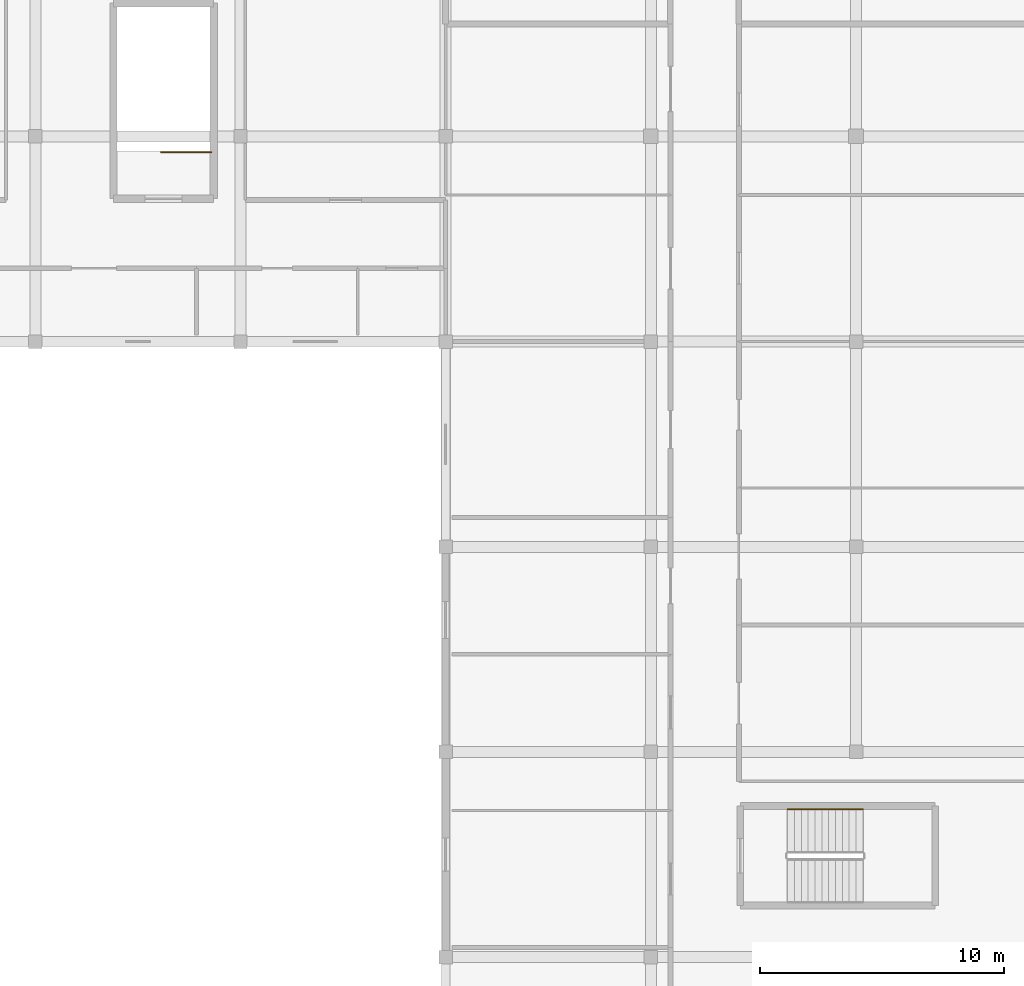
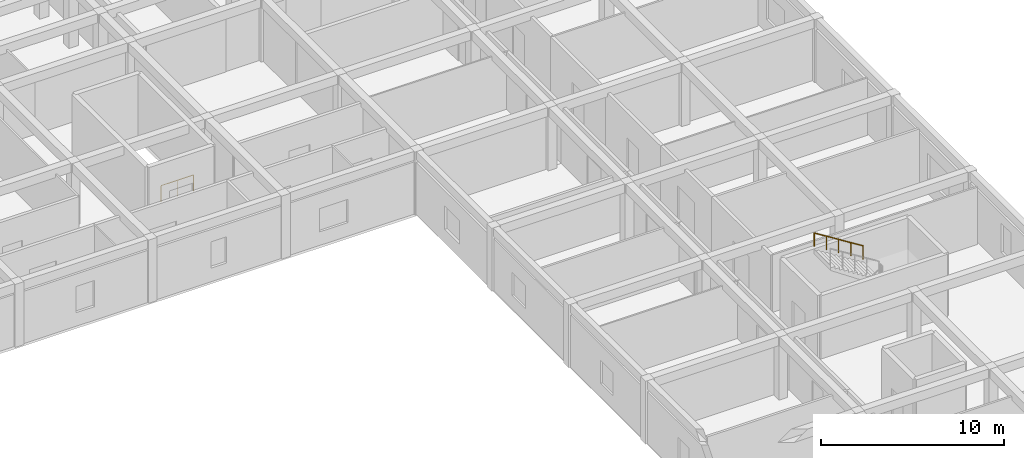
# One storey, part 41 of 42: 2 railings.
"""IFC4 building model written with IfcOpenShell, lengths in metres."""

import ifcopenshell
import ifcopenshell.guid

model = None  # the IFC model being written
_history = None  # IfcOwnerHistory: only IFC2X3 demands one
_inside = {}  # id of a spatial element -> (the spatial element, [elements in it])
_under = {}  # id of a project, library or spatial element -> (it, [spatial elements below it])
_declared = {}  # id of a project -> (the project, [libraries it declares])
_typed = {}  # id of a type object -> (the type object, [elements of that type])
_made_of = {}  # id of a material, layer set ... -> (it, [elements and type objects made of it])


def new_model(schema):
    """Start an empty IFC model of exactly this schema.

    Asked for "IFC4X3", IfcOpenShell would pick the latest addendum, in which some entities
    have other attributes; the version numbers below select the first issue.
    IFC2X3 requires an IfcOwnerHistory on every rooted entity: one is made here for all.
    """
    global model, _history
    if schema == "IFC4X3":
        model = ifcopenshell.file(schema_version=(4, 3, 0, 0))
    else:
        model = ifcopenshell.file(schema=schema)
    _inside.clear()
    _under.clear()
    _declared.clear()
    _typed.clear()
    _made_of.clear()
    _history = None
    if model.schema == "IFC2X3":
        org = make("IfcOrganization", Name="unknown")
        user = make(
            "IfcPersonAndOrganization",
            ThePerson=make("IfcPerson", FamilyName="unknown"),
            TheOrganization=org,
        )
        app = make(
            "IfcApplication",
            ApplicationDeveloper=org,
            Version="unknown",
            ApplicationFullName="unknown",
            ApplicationIdentifier="unknown",
        )
        _history = make(
            "IfcOwnerHistory",
            OwningUser=user,
            OwningApplication=app,
            ChangeAction="ADDED",
            CreationDate=0,
        )
    return model


def make(cls, **values):
    """One entity of the class cls with the attributes given. An attribute that is None is left unset."""
    return model.create_entity(
        cls, **{name: value for name, value in values.items() if value is not None}
    )


def rooted(cls, **values):
    """An entity with a GlobalId (a new one), such as an element, a storey or a relation."""
    return make(cls, GlobalId=ifcopenshell.guid.new(), OwnerHistory=_history, **values)


def si_unit(unit_type, name, prefix=None):
    """IfcSIUnit, for example si_unit("LENGTHUNIT", "METRE", prefix="MILLI")."""
    return make("IfcSIUnit", UnitType=unit_type, Prefix=prefix, Name=name)


def assignment(units):
    """IfcUnitAssignment: the units of a project."""
    return None if units is None else make("IfcUnitAssignment", Units=units)


def point(xyz):
    """IfcCartesianPoint."""
    return None if xyz is None else make("IfcCartesianPoint", Coordinates=xyz)


def direction(xyz):
    """IfcDirection."""
    return None if xyz is None else make("IfcDirection", DirectionRatios=xyz)


def frame(location, z_axis=None, x_axis=None):
    """IfcAxis2Placement3D, a coordinate frame: its origin and axes. An axis left out is left unset."""
    return make(
        "IfcAxis2Placement3D",
        Location=point(location),
        Axis=direction(z_axis),
        RefDirection=direction(x_axis),
    )


def frame_2d(location, x_axis=None):
    """IfcAxis2Placement2D, a coordinate frame in the plane: its origin and x axis."""
    return make(
        "IfcAxis2Placement2D", Location=point(location), RefDirection=direction(x_axis)
    )


def origin():
    """The frame at (0, 0, 0) with its axes left unset."""
    return frame((0.0, 0.0, 0.0))


def origin_2d():
    """The frame at (0, 0) in the plane with its x axis left unset."""
    return frame_2d((0.0, 0.0))


def place(relative_to, where):
    """IfcLocalPlacement: puts the frame where relative to a parent placement (None: the world)."""
    return make(
        "IfcLocalPlacement", PlacementRelTo=relative_to, RelativePlacement=where
    )


def context(
    kind, dimensions, precision=None, world=None, true_north=None, identifier=None
):
    """IfcGeometricRepresentationContext, for example the 3D "Model" context."""
    return make(
        "IfcGeometricRepresentationContext",
        ContextIdentifier=identifier,
        ContextType=kind,
        CoordinateSpaceDimension=dimensions,
        Precision=precision,
        WorldCoordinateSystem=world,
        TrueNorth=true_north,
    )


def subcontext(parent, identifier, kind, view, scale=None):
    """IfcGeometricRepresentationSubContext, for example "Body" below "Model"."""
    return make(
        "IfcGeometricRepresentationSubContext",
        ContextIdentifier=identifier,
        ContextType=kind,
        ParentContext=parent,
        TargetScale=scale,
        TargetView=view,
    )


def project(units=None, contexts=None):
    """IfcProject with its units and contexts."""
    return rooted(
        "IfcProject",
        Name="project",
        RepresentationContexts=contexts,
        UnitsInContext=assignment(units),
    )


def spatial(cls, under=None, at=None, **own):
    """A site, building, storey or space (cls), placed at a placement, below another one or the project."""
    s = rooted(cls, ObjectPlacement=at, **own)
    if under is not None:
        _under.setdefault(under.id(), (under, []))[1].append(s)
    return s


def profile(cls, at=None, kind="AREA", **sizes):
    """A parametric profile (cls). Its sizes go by their IFC names, for example OverallWidth=200.0."""
    return make(cls, ProfileType=kind, Position=at, **sizes)


def circle(**sizes):
    """IfcCircleProfileDef."""
    return profile("IfcCircleProfileDef", **sizes)


def extrude(swept, where, along, depth):
    """IfcExtrudedAreaSolid: the profile swept, set in the frame where, extruded along a direction by depth."""
    return make(
        "IfcExtrudedAreaSolid",
        SweptArea=swept,
        Position=where,
        ExtrudedDirection=direction(along),
        Depth=depth,
    )


def shape(context_of_items, identifier, shape_type, items):
    """IfcShapeRepresentation: the items that make up one representation, for example the "Body"."""
    return make(
        "IfcShapeRepresentation",
        ContextOfItems=context_of_items,
        RepresentationIdentifier=identifier,
        RepresentationType=shape_type,
        Items=items,
    )


def material(Name=None, Category=None):
    """IfcMaterial."""
    return make("IfcMaterial", Name=Name, Category=Category)


def made_of(thing, what):
    """Note that an element or type object is made of a material, layer set ...; save() writes the relation."""
    if what is not None:
        _made_of.setdefault(what.id(), (what, []))[1].append(thing)
    return thing


def type_object(cls, material=None, **own):
    """A type object (cls), such as IfcWallType, which elements share."""
    return made_of(rooted(cls, **own), material)


def element(
    cls,
    number,
    at=None,
    inside=None,
    cuts=None,
    type_object=None,
    material=None,
    context=None,
    identifier="Body",
    shape_type=None,
    held_by="IfcProductDefinitionShape",
    body=None,
    shapes=None,
    **own,
):
    """One element of the class cls, such as IfcWall. Its Tag is "e" and its number.

    at: its placement. inside: the storey or other place that contains it. cuts: it is an
    opening in that element (IfcRelVoidsElement). A single representation is given by context,
    identifier, shape_type and body (its items); several are given by shapes. held_by: the class
    of the entity that holds the representations. save() writes the other relations.
    """
    e = rooted(cls, Tag="e%d" % number, ObjectPlacement=at, **own)
    if body is not None:
        shapes = [shape(context, identifier, shape_type, body)]
    if shapes is not None:
        e.Representation = make(held_by, Representations=shapes)
    if inside is not None:
        _inside.setdefault(inside.id(), (inside, []))[1].append(e)
    if cuts is not None:
        rooted(
            "IfcRelVoidsElement", RelatingBuildingElement=cuts, RelatedOpeningElement=e
        )
    if type_object is not None:
        _typed.setdefault(type_object.id(), (type_object, []))[1].append(e)
    return made_of(e, material)


def aggregate(whole, parts):
    """IfcRelAggregates: a whole, such as a stair, and the parts it consists of."""
    return rooted("IfcRelAggregates", RelatingObject=whole, RelatedObjects=parts)


def save(model, path):
    """Write the relations noted so far, then the file.

    IfcRelAggregates (storeys below a building ...), IfcRelContainedInSpatialStructure (elements
    in a storey), IfcRelDefinesByType, IfcRelAssociatesMaterial and IfcRelDeclares: one each for
    every whole, place, type object, material and project.
    """
    for whole, parts in _under.values():
        aggregate(whole, parts)
    for where, things in _inside.values():
        rooted(
            "IfcRelContainedInSpatialStructure",
            RelatedElements=things,
            RelatingStructure=where,
        )
    for kind, things in _typed.values():
        rooted("IfcRelDefinesByType", RelatedObjects=things, RelatingType=kind)
    for what, things in _made_of.values():
        rooted("IfcRelAssociatesMaterial", RelatedObjects=things, RelatingMaterial=what)
    for by, libraries in _declared.values():
        rooted("IfcRelDeclares", RelatingContext=by, RelatedDefinitions=libraries)
    model.write(path)


model = new_model("IFC4")

# Units and contexts
model_context = context("Model", 3, precision=1e-05, world=origin(), true_north=direction((0.0, 1.0)))
body_context = subcontext(model_context, "Body", "Model", "MODEL_VIEW")
ifc_project = project(units=[si_unit("LENGTHUNIT", "METRE"), si_unit("AREAUNIT", "SQUARE_METRE"), si_unit("VOLUMEUNIT", "CUBIC_METRE"), si_unit("PLANEANGLEUNIT", "RADIAN"), si_unit("MASSUNIT", "GRAM", prefix="KILO")], contexts=[model_context])

# Site, building, storey
site_placement = place(None, origin())
site = spatial("IfcSite", under=ifc_project, at=site_placement, CompositionType="ELEMENT")
building_placement = place(site_placement, origin())
building = spatial("IfcBuilding", under=site, at=building_placement, Name="Varncliffe General Hospital", CompositionType="ELEMENT")
storey_placement = place(building_placement, frame((0.0, 0.0, 20.39990234375)))
storey = spatial("IfcBuildingStorey", under=building, at=storey_placement, Name="L04", CompositionType="ELEMENT", Elevation=20.39990234375)

# Railings
ifc_material = material(Name="Powder-coated hospital steel guardrail and handrail", Category="steel")
railing_type_1 = type_object("IfcRailingType", Name="Stair and Ramp Handrail HR46", PredefinedType="HANDRAIL", material=ifc_material)
railing_1_placement = place(storey_placement, frame((168.280029296875, 63.64990234375, 2.4541015625)))
element("IfcRailing", 1, at=railing_1_placement, inside=storey, type_object=railing_type_1, Name="L04 ST07 stair handrail 2", PredefinedType="HANDRAIL", context=body_context, shape_type="SweptSolid", body=[
    extrude(circle(Radius=0.02392578125, at=origin_2d()), frame((0.0, 0.0, 0.8759765625), z_axis=(-0.847998304005, 0.0, 0.529998940003), x_axis=(0.0, -1.0, 0.0)), (0.0, 0.0, 1.0), 3.632080078125),
    extrude(circle(Radius=0.02099609375, at=origin_2d()), origin(), (0.0, 0.0, 1.0), 0.851806640625),
    extrude(circle(Radius=0.02099609375, at=origin_2d()), frame((-0.77001953125, 0.0, 0.481201171875)), (0.0, 0.0, 1.0), 0.851806640625),
    extrude(circle(Radius=0.02099609375, at=origin_2d()), frame((-1.5400390625, 0.0, 0.96240234375)), (0.0, 0.0, 1.0), 0.851806640625),
    extrude(circle(Radius=0.02099609375, at=origin_2d()), frame((-2.31005859375, 0.0, 1.44384765625)), (0.0, 0.0, 1.0), 0.851806640625),
    extrude(circle(Radius=0.02099609375, at=origin_2d()), frame((-3.080078125, 0.0, 1.925048828125)), (0.0, 0.0, 1.0), 0.851806640625),
])
railing_type_2 = type_object("IfcRailingType", Name="Stairwell Guardrail SG49", PredefinedType="GUARDRAIL", material=ifc_material)
railing_2_placement = place(storey_placement, frame((141.60009765625, 90.550048828125, 0.0)))
element("IfcRailing", 2, at=railing_2_placement, inside=storey, type_object=railing_type_2, Name="L04 ST14 top well guard 1", PredefinedType="GUARDRAIL", context=body_context, shape_type="SweptSolid", body=[
    extrude(circle(Radius=0.02392578125, at=origin_2d()), frame((0.0, 0.0, 1.076171875), z_axis=(-1.0, 0.0, 0.0), x_axis=(0.0, -1.0, 0.0)), (0.0, 0.0, 1.0), 2.050048828125),
    extrude(circle(Radius=0.02099609375, at=origin_2d()), origin(), (0.0, 0.0, 1.0), 1.052001953125),
    extrude(circle(Radius=0.02099609375, at=origin_2d()), frame((-1.02490234375, 0.0, 0.0)), (0.0, 0.0, 1.0), 1.052001953125),
    extrude(circle(Radius=0.02099609375, at=origin_2d()), frame((-2.050048828125, 0.0, 0.0)), (0.0, 0.0, 1.0), 1.052001953125),
])

save(model, "model.ifc")
